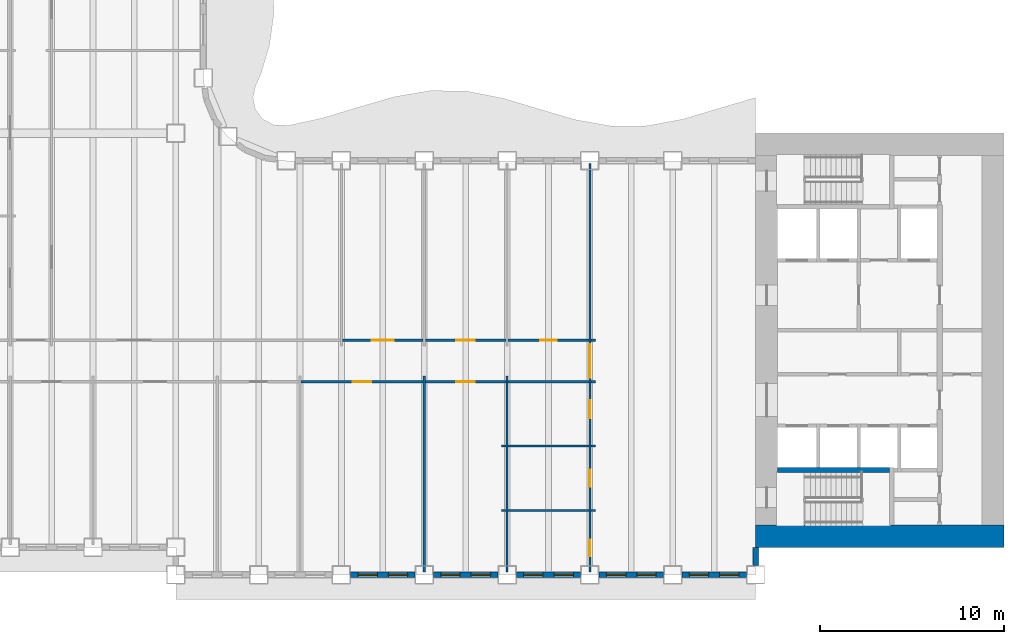
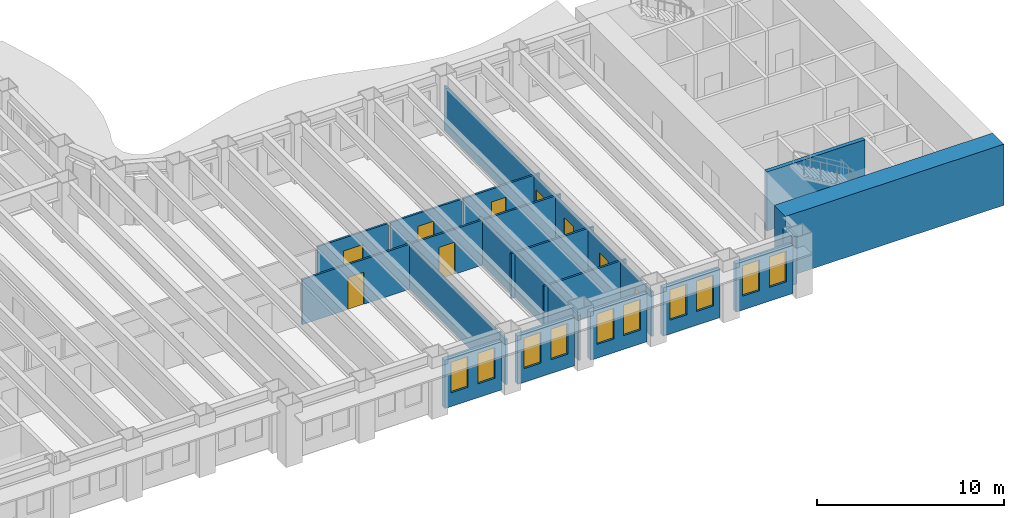
# One storey, part 5 of 16: 25 walls, 10 windows, 9 doors, 19 openings.
"""IFC4 building model written with IfcOpenShell, lengths in metres."""

from ifc_helpers import new_model, si_unit, direction, frame, frame_2d, origin, place, context, subcontext, project, spatial, rectangle, extrude, material, layer, layer_set, type_object, element, fill, save


model = new_model("IFC4")

# Units and contexts
model_context = context("Model", 3, precision=1e-05, world=origin(), true_north=direction((0.0, 1.0)))
body_context = subcontext(model_context, "Body", "Model", "MODEL_VIEW")
ifc_project = project(units=[si_unit("LENGTHUNIT", "METRE"), si_unit("AREAUNIT", "SQUARE_METRE"), si_unit("VOLUMEUNIT", "CUBIC_METRE"), si_unit("PLANEANGLEUNIT", "RADIAN"), si_unit("MASSUNIT", "GRAM", prefix="KILO")], contexts=[model_context])

# Site, building, storey
site_placement = place(None, origin())
site = spatial("IfcSite", under=ifc_project, at=site_placement, CompositionType="ELEMENT")
building_placement = place(site_placement, origin())
building = spatial("IfcBuilding", under=site, at=building_placement, Name="Sennacour Bend Tower", CompositionType="ELEMENT")
storey_placement = place(building_placement, frame((0.0, 0.0, 119.0)))
storey = spatial("IfcBuildingStorey", under=building, at=storey_placement, Name="L27", CompositionType="ELEMENT", Elevation=119.0)

# Walls
ifc_material_1 = material(Name="Concrete C80/95", Category="concrete")
ifc_layer_1 = layer(ifc_material_1, 1.199951171875, Name="Concrete C80/95", Category="concrete")
ifc_layer_set_1 = layer_set([ifc_layer_1], Name="Concrete C80/95")
wall_type_1 = type_object("IfcWallType", Name="Core wall 1200 C80/95", PredefinedType="SHEAR", material=ifc_layer_set_1)
wall_1_placement = place(storey_placement, frame((67.5, 0.60009765625, -0.14990234375), z_axis=(0.0, 0.0, 1.0), x_axis=(-1.0, 0.0, 0.0)))
element("IfcWall", 1, at=wall_1_placement, inside=storey, type_object=wall_type_1, Name="Core A wall L27 S", PredefinedType="SHEAR", context=body_context, shape_type="SweptSolid", body=[
    extrude(rectangle(XDim=13.5, YDim=1.199951171875, at=frame_2d((6.75, 0.0))), origin(), (0.0, 0.0, 1.0), 4.0),
])
ifc_material_2 = material(Name="Plasterboard partition on steel studs", Category="steel")
ifc_layer_2 = layer(ifc_material_2, 0.1201171875, Name="Plasterboard partition on steel studs", Category="steel")
ifc_layer_set_2 = layer_set([ifc_layer_2], Name="Plasterboard partition on steel studs")
wall_type_2 = type_object("IfcWallType", Name="Partition 120", PredefinedType="PARTITIONING", material=ifc_layer_set_2)
for number, where, z_axis, x_axis, name in (
    (2, (36.0, -1.35009765625, 0.0), (0.0, 0.0, 1.0), (0.0, 1.0, 0.0), "P-L27-W030a"),
    (3, (40.5, -1.35009765625, 0.0), (0.0, 0.0, 1.0), (0.0, 1.0, 0.0), "P-L27-W032a"),
):
    element("IfcWall", number, at=place(storey_placement, frame(where, z_axis=z_axis, x_axis=x_axis)), inside=storey, type_object=wall_type_2, Name=name, PredefinedType="PARTITIONING", context=body_context, shape_type="SweptSolid", body=[
        extrude(rectangle(XDim=10.650146484375, YDim=0.1201171875, at=frame_2d((5.3251953125, 0.0))), origin(), (0.0, 0.0, 1.0), 2.93798828125),
    ])
wall_2_placement = place(storey_placement, frame((40.199951171875, 2.0, 0.0), z_axis=(0.0, 0.0, 1.0), x_axis=(1.0, 0.0, 0.0)))
element("IfcWall", 4, at=wall_2_placement, inside=storey, type_object=wall_type_2, Name="P-L27-W051aa", PredefinedType="PARTITIONING", context=body_context, shape_type="SweptSolid", body=[
    extrude(rectangle(XDim=0.239990234375, YDim=0.1201171875, at=frame_2d((0.1201171875, 0.0))), origin(), (0.0, 0.0, 1.0), 2.93798828125),
])
wall_3_placement = place(storey_placement, frame((40.56005859375, 2.0, 0.0), z_axis=(0.0, 0.0, 1.0), x_axis=(1.0, 0.0, 0.0)))
element("IfcWall", 5, at=wall_3_placement, inside=storey, type_object=wall_type_2, Name="P-L27-W051ab", PredefinedType="PARTITIONING", context=body_context, shape_type="SweptSolid", body=[
    extrude(rectangle(XDim=4.3798828125, YDim=0.1201171875, at=frame_2d((2.18994140625, 0.0))), origin(), (0.0, 0.0, 1.0), 2.93798828125),
])
for number, where, z_axis, x_axis, name in (
    (6, (45.06005859375, 2.0, 0.0), (0.0, 0.0, 1.0), (1.0, 0.0, 0.0), "P-L27-W051ac"),
    (7, (40.199951171875, 5.5, 0.0), (0.0, 0.0, 1.0), (1.0, 0.0, 0.0), "P-L27-W057aa"),
):
    element("IfcWall", number, at=place(storey_placement, frame(where, z_axis=z_axis, x_axis=x_axis)), inside=storey, type_object=wall_type_2, Name=name, PredefinedType="PARTITIONING", context=body_context, shape_type="SweptSolid", body=[
        extrude(rectangle(XDim=0.239990234375, YDim=0.1201171875, at=frame_2d((0.1201171875, 0.0))), origin(), (0.0, 0.0, 1.0), 2.93798828125),
    ])
wall_4_placement = place(storey_placement, frame((40.56005859375, 5.5, 0.0), z_axis=(0.0, 0.0, 1.0), x_axis=(1.0, 0.0, 0.0)))
element("IfcWall", 8, at=wall_4_placement, inside=storey, type_object=wall_type_2, Name="P-L27-W057ab", PredefinedType="PARTITIONING", context=body_context, shape_type="SweptSolid", body=[
    extrude(rectangle(XDim=4.3798828125, YDim=0.1201171875, at=frame_2d((2.18994140625, 0.0))), origin(), (0.0, 0.0, 1.0), 2.93798828125),
])
wall_5_placement = place(storey_placement, frame((45.06005859375, 5.5, 0.0), z_axis=(0.0, 0.0, 1.0), x_axis=(1.0, 0.0, 0.0)))
element("IfcWall", 9, at=wall_5_placement, inside=storey, type_object=wall_type_2, Name="P-L27-W057ac", PredefinedType="PARTITIONING", context=body_context, shape_type="SweptSolid", body=[
    extrude(rectangle(XDim=0.239990234375, YDim=0.1201171875, at=frame_2d((0.1201171875, 0.0))), origin(), (0.0, 0.0, 1.0), 2.93798828125),
])

# Wall, opening, door
wall_6_placement = place(storey_placement, frame((29.31005859375, 9.0, 0.0), z_axis=(0.0, 0.0, 1.0), x_axis=(1.0, 0.0, 0.0)))
wall_6 = element("IfcWall", 10, at=wall_6_placement, inside=storey, type_object=wall_type_2, Name="P-L27-W059af", PredefinedType="PARTITIONING", context=body_context, shape_type="SweptSolid", body=[
    extrude(rectangle(XDim=6.6298828125, YDim=0.1201171875, at=frame_2d((3.31494140625, 0.0))), origin(), (0.0, 0.0, 1.0), 2.93798828125),
])
opening_1_placement = place(wall_6_placement, frame((2.81494140625, 0.0, 0.0)))
opening_1 = element("IfcOpeningElement", 11, at=opening_1_placement, cuts=wall_6, Name="Opening OD2", PredefinedType="OPENING", context=body_context, shape_type="SweptSolid", body=[
    extrude(rectangle(XDim=1.0, YDim=2.10009765625, at=frame_2d((0.5, 1.050048828125))), frame((0.0, 0.070068359375, 0.0), z_axis=(0.0, -1.0, 0.0), x_axis=(1.0, 0.0, 0.0)), (0.0, 0.0, 1.0), 0.14013671875),
])
ifc_material_3 = material(Name="Timber", Category="wood")
door_type_1 = type_object("IfcDoorType", Name="DR-OFFICE-1000", OperationType="NOTDEFINED", PredefinedType="DOOR", material=ifc_material_3)
door_1_placement = place(opening_1_placement, origin())
door_1 = element("IfcDoor", 12, at=door_1_placement, inside=storey, type_object=door_type_1, Name="Door", OperationType="SINGLE_SWING_LEFT", OverallHeight=2.10009765625, OverallWidth=1.0, PredefinedType="DOOR", context=body_context, shape_type="SweptSolid", body=[
    extrude(rectangle(XDim=1.0, YDim=2.10009765625, at=frame_2d((0.5, 1.050048828125))), frame((0.0, 0.02490234375, 0.0), z_axis=(0.0, -1.0, 0.0), x_axis=(1.0, 0.0, 0.0)), (0.0, 0.0, 1.0), 0.050048828125),
])
fill(opening_1, door_1)

wall_7_placement = place(storey_placement, frame((36.06005859375, 9.0, 0.0), z_axis=(0.0, 0.0, 1.0), x_axis=(1.0, 0.0, 0.0)))
wall_7 = element("IfcWall", 13, at=wall_7_placement, inside=storey, type_object=wall_type_2, Name="P-L27-W059ag", PredefinedType="PARTITIONING", context=body_context, shape_type="SweptSolid", body=[
    extrude(rectangle(XDim=4.3798828125, YDim=0.1201171875, at=frame_2d((2.18994140625, 0.0))), origin(), (0.0, 0.0, 1.0), 2.93798828125),
])
opening_2_placement = place(wall_7_placement, frame((1.68994140625, 0.0, 0.0)))
opening_2 = element("IfcOpeningElement", 14, at=opening_2_placement, cuts=wall_7, Name="Opening MD2", PredefinedType="OPENING", context=body_context, shape_type="SweptSolid", body=[
    extrude(rectangle(XDim=1.0, YDim=2.10009765625, at=frame_2d((0.5, 1.050048828125))), frame((0.0, 0.070068359375, 0.0), z_axis=(0.0, -1.0, 0.0), x_axis=(1.0, 0.0, 0.0)), (0.0, 0.0, 1.0), 0.14013671875),
])
door_type_2 = type_object("IfcDoorType", Name="DR-MEETING-1000", OperationType="NOTDEFINED", PredefinedType="DOOR", material=ifc_material_3)
door_2_placement = place(opening_2_placement, origin())
door_2 = element("IfcDoor", 15, at=door_2_placement, inside=storey, type_object=door_type_2, Name="Door", OperationType="SINGLE_SWING_LEFT", OverallHeight=2.10009765625, OverallWidth=1.0, PredefinedType="DOOR", context=body_context, shape_type="SweptSolid", body=[
    extrude(rectangle(XDim=1.0, YDim=2.10009765625, at=frame_2d((0.5, 1.050048828125))), frame((0.0, 0.02490234375, 0.0), z_axis=(0.0, -1.0, 0.0), x_axis=(1.0, 0.0, 0.0)), (0.0, 0.0, 1.0), 0.050048828125),
])
fill(opening_2, door_2)

# Walls
wall_8_placement = place(storey_placement, frame((40.56005859375, 9.0, 0.0), z_axis=(0.0, 0.0, 1.0), x_axis=(1.0, 0.0, 0.0)))
element("IfcWall", 16, at=wall_8_placement, inside=storey, type_object=wall_type_2, Name="P-L27-W059ah", PredefinedType="PARTITIONING", context=body_context, shape_type="SweptSolid", body=[
    extrude(rectangle(XDim=4.3798828125, YDim=0.1201171875, at=frame_2d((2.18994140625, 0.0))), origin(), (0.0, 0.0, 1.0), 2.93798828125),
])
wall_9_placement = place(storey_placement, frame((45.06005859375, 9.0, 0.0), z_axis=(0.0, 0.0, 1.0), x_axis=(1.0, 0.0, 0.0)))
element("IfcWall", 17, at=wall_9_placement, inside=storey, type_object=wall_type_2, Name="P-L27-W059ai", PredefinedType="PARTITIONING", context=body_context, shape_type="SweptSolid", body=[
    extrude(rectangle(XDim=0.239990234375, YDim=0.1201171875, at=frame_2d((0.1201171875, 0.0))), origin(), (0.0, 0.0, 1.0), 2.93798828125),
])

# Wall, opening, door
wall_10_placement = place(storey_placement, frame((31.56005859375, 11.25, 0.0), z_axis=(0.0, 0.0, 1.0), x_axis=(1.0, 0.0, 0.0)))
wall_10 = element("IfcWall", 18, at=wall_10_placement, inside=storey, type_object=wall_type_2, Name="P-L27-W061ad", PredefinedType="PARTITIONING", context=body_context, shape_type="SweptSolid", body=[
    extrude(rectangle(XDim=4.3798828125, YDim=0.1201171875, at=frame_2d((2.18994140625, 0.0))), origin(), (0.0, 0.0, 1.0), 2.93798828125),
])
opening_3_placement = place(wall_10_placement, frame((1.58984375, 0.0, 0.0)))
opening_3 = element("IfcOpeningElement", 19, at=opening_3_placement, cuts=wall_10, Name="Opening OD", PredefinedType="OPENING", context=body_context, shape_type="SweptSolid", body=[
    extrude(rectangle(XDim=1.199951171875, YDim=2.10009765625, at=frame_2d((0.60009765625, 1.050048828125))), frame((0.0, 0.070068359375, 0.0), z_axis=(0.0, -1.0, 0.0), x_axis=(1.0, 0.0, 0.0)), (0.0, 0.0, 1.0), 0.14013671875),
])
door_type_3 = type_object("IfcDoorType", Name="DR-OFFICE-1200", OperationType="NOTDEFINED", PredefinedType="DOOR", material=ifc_material_3)
door_3_placement = place(opening_3_placement, origin())
door_3 = element("IfcDoor", 20, at=door_3_placement, inside=storey, type_object=door_type_3, Name="Door", OperationType="SINGLE_SWING_LEFT", OverallHeight=2.10009765625, OverallWidth=1.199951171875, PredefinedType="DOOR", context=body_context, shape_type="SweptSolid", body=[
    extrude(rectangle(XDim=1.199951171875, YDim=2.10009765625, at=frame_2d((0.60009765625, 1.050048828125))), frame((0.0, 0.02490234375, 0.0), z_axis=(0.0, -1.0, 0.0), x_axis=(1.0, 0.0, 0.0)), (0.0, 0.0, 1.0), 0.050048828125),
])
fill(opening_3, door_3)

wall_11_placement = place(storey_placement, frame((36.06005859375, 11.25, 0.0), z_axis=(0.0, 0.0, 1.0), x_axis=(1.0, 0.0, 0.0)))
wall_11 = element("IfcWall", 21, at=wall_11_placement, inside=storey, type_object=wall_type_2, Name="P-L27-W061ae", PredefinedType="PARTITIONING", context=body_context, shape_type="SweptSolid", body=[
    extrude(rectangle(XDim=4.3798828125, YDim=0.1201171875, at=frame_2d((2.18994140625, 0.0))), origin(), (0.0, 0.0, 1.0), 2.93798828125),
])
opening_4_placement = place(wall_11_placement, frame((1.68994140625, 0.0, 0.0)))
opening_4 = element("IfcOpeningElement", 22, at=opening_4_placement, cuts=wall_11, Name="Opening OD2", PredefinedType="OPENING", context=body_context, shape_type="SweptSolid", body=[
    extrude(rectangle(XDim=1.0, YDim=2.10009765625, at=frame_2d((0.5, 1.050048828125))), frame((0.0, 0.070068359375, 0.0), z_axis=(0.0, -1.0, 0.0), x_axis=(1.0, 0.0, 0.0)), (0.0, 0.0, 1.0), 0.14013671875),
])
door_4_placement = place(opening_4_placement, origin())
door_4 = element("IfcDoor", 23, at=door_4_placement, inside=storey, type_object=door_type_1, Name="Door", OperationType="SINGLE_SWING_LEFT", OverallHeight=2.10009765625, OverallWidth=1.0, PredefinedType="DOOR", context=body_context, shape_type="SweptSolid", body=[
    extrude(rectangle(XDim=1.0, YDim=2.10009765625, at=frame_2d((0.5, 1.050048828125))), frame((0.0, 0.02490234375, 0.0), z_axis=(0.0, -1.0, 0.0), x_axis=(1.0, 0.0, 0.0)), (0.0, 0.0, 1.0), 0.050048828125),
])
fill(opening_4, door_4)

# Wall
wall_12_placement = place(storey_placement, frame((45.06005859375, 11.25, 0.0), z_axis=(0.0, 0.0, 1.0), x_axis=(1.0, 0.0, 0.0)))
element("IfcWall", 24, at=wall_12_placement, inside=storey, type_object=wall_type_2, Name="P-L27-W061ag", PredefinedType="PARTITIONING", context=body_context, shape_type="SweptSolid", body=[
    extrude(rectangle(XDim=0.239990234375, YDim=0.1201171875, at=frame_2d((0.1201171875, 0.0))), origin(), (0.0, 0.0, 1.0), 2.93798828125),
])

# Wall, openings, doors
ifc_layer_3 = layer(ifc_material_2, 0.1201171875, Name="Plasterboard partition on steel studs", Category="steel")
ifc_layer_set_3 = layer_set([ifc_layer_3], Name="Plasterboard partition on steel studs")
wall_type_3 = type_object("IfcWallType", Name="Partition 120 EI 30", PredefinedType="PARTITIONING", material=ifc_layer_set_3)
wall_13_placement = place(storey_placement, frame((45.0, -1.35009765625, 0.0), z_axis=(0.0, 0.0, 1.0), x_axis=(0.0, 1.0, 0.0)))
wall_13 = element("IfcWall", 25, at=wall_13_placement, inside=storey, type_object=wall_type_3, Name="P-L27-W034a", PredefinedType="PARTITIONING", context=body_context, shape_type="SweptSolid", body=[
    extrude(rectangle(XDim=22.2001953125, YDim=0.1201171875, at=frame_2d((11.10009765625, 0.0))), origin(), (0.0, 0.0, 1.0), 2.93798828125),
])
opening_5_placement = place(wall_13_placement, frame((10.5751953125, 0.0, 0.0)))
opening_5 = element("IfcOpeningElement", 26, at=opening_5_placement, cuts=wall_13, Name="Opening KD3", PredefinedType="OPENING", context=body_context, shape_type="SweptSolid", body=[
    extrude(rectangle(XDim=1.800048828125, YDim=2.10009765625, at=frame_2d((0.89990234375, 1.050048828125))), frame((0.0, 0.070068359375, 0.0), z_axis=(0.0, -1.0, 0.0), x_axis=(1.0, 0.0, 0.0)), (0.0, 0.0, 1.0), 0.14013671875),
])
opening_6_placement = place(wall_13_placement, frame((0.85009765625, 0.0, 0.0)))
opening_6 = element("IfcOpeningElement", 27, at=opening_6_placement, cuts=wall_13, Name="Opening WD", PredefinedType="OPENING", context=body_context, shape_type="SweptSolid", body=[
    extrude(rectangle(XDim=0.89990234375, YDim=2.10009765625, at=frame_2d((0.449951171875, 1.050048828125))), frame((0.0, 0.070068359375, 0.0), z_axis=(0.0, -1.0, 0.0), x_axis=(1.0, 0.0, 0.0)), (0.0, 0.0, 1.0), 0.14013671875),
])
opening_7_placement = place(wall_13_placement, frame((4.650146484375, 0.0, 0.0)))
opening_7 = element("IfcOpeningElement", 28, at=opening_7_placement, cuts=wall_13, Name="Opening WD", PredefinedType="OPENING", context=body_context, shape_type="SweptSolid", body=[
    extrude(rectangle(XDim=0.89990234375, YDim=2.10009765625, at=frame_2d((0.449951171875, 1.050048828125))), frame((0.0, 0.070068359375, 0.0), z_axis=(0.0, -1.0, 0.0), x_axis=(1.0, 0.0, 0.0)), (0.0, 0.0, 1.0), 0.14013671875),
])
opening_8_placement = place(wall_13_placement, frame((8.35009765625, 0.0, 0.0)))
opening_8 = element("IfcOpeningElement", 29, at=opening_8_placement, cuts=wall_13, Name="Opening AD", PredefinedType="OPENING", context=body_context, shape_type="SweptSolid", body=[
    extrude(rectangle(XDim=1.0, YDim=2.10009765625, at=frame_2d((0.5, 1.050048828125))), frame((0.0, 0.070068359375, 0.0), z_axis=(0.0, -1.0, 0.0), x_axis=(1.0, 0.0, 0.0)), (0.0, 0.0, 1.0), 0.14013671875),
])
door_type_4 = type_object("IfcDoorType", Name="DR-ACC-WC-1000", OperationType="NOTDEFINED", PredefinedType="DOOR", material=ifc_material_3)
door_5_placement = place(opening_8_placement, origin())
door_5 = element("IfcDoor", 30, at=door_5_placement, inside=storey, type_object=door_type_4, Name="Door", OperationType="SINGLE_SWING_LEFT", OverallHeight=2.10009765625, OverallWidth=1.0, PredefinedType="DOOR", context=body_context, shape_type="SweptSolid", body=[
    extrude(rectangle(XDim=1.0, YDim=2.10009765625, at=frame_2d((0.5, 1.050048828125))), frame((0.0, 0.02490234375, 0.0), z_axis=(0.0, -1.0, 0.0), x_axis=(1.0, 0.0, 0.0)), (0.0, 0.0, 1.0), 0.050048828125),
])
fill(opening_8, door_5)
ifc_material_4 = material(Name="Painted steel", Category="steel")
door_type_5 = type_object("IfcDoorType", Name="DR-CORRIDOR-1800", OperationType="NOTDEFINED", PredefinedType="DOOR", material=ifc_material_4)
door_6_placement = place(opening_5_placement, origin())
door_6 = element("IfcDoor", 31, at=door_6_placement, inside=storey, type_object=door_type_5, Name="Door", OperationType="DOUBLE_DOOR_SINGLE_SWING", OverallHeight=2.10009765625, OverallWidth=1.800048828125, PredefinedType="DOOR", context=body_context, shape_type="SweptSolid", body=[
    extrude(rectangle(XDim=1.800048828125, YDim=2.10009765625, at=frame_2d((0.89990234375, 1.050048828125))), frame((0.0, 0.02490234375, 0.0), z_axis=(0.0, -1.0, 0.0), x_axis=(1.0, 0.0, 0.0)), (0.0, 0.0, 1.0), 0.050048828125),
])
fill(opening_5, door_6)
door_type_6 = type_object("IfcDoorType", Name="DR-WC-900", OperationType="NOTDEFINED", PredefinedType="DOOR", material=ifc_material_3)
door_7_placement = place(opening_6_placement, origin())
door_7 = element("IfcDoor", 32, at=door_7_placement, inside=storey, type_object=door_type_6, Name="Door", OperationType="SINGLE_SWING_LEFT", OverallHeight=2.10009765625, OverallWidth=0.89990234375, PredefinedType="DOOR", context=body_context, shape_type="SweptSolid", body=[
    extrude(rectangle(XDim=0.89990234375, YDim=2.10009765625, at=frame_2d((0.449951171875, 1.050048828125))), frame((0.0, 0.02490234375, 0.0), z_axis=(0.0, -1.0, 0.0), x_axis=(1.0, 0.0, 0.0)), (0.0, 0.0, 1.0), 0.050048828125),
])
fill(opening_6, door_7)
door_8_placement = place(opening_7_placement, origin())
door_8 = element("IfcDoor", 33, at=door_8_placement, inside=storey, type_object=door_type_6, Name="Door", OperationType="SINGLE_SWING_LEFT", OverallHeight=2.10009765625, OverallWidth=0.89990234375, PredefinedType="DOOR", context=body_context, shape_type="SweptSolid", body=[
    extrude(rectangle(XDim=0.89990234375, YDim=2.10009765625, at=frame_2d((0.449951171875, 1.050048828125))), frame((0.0, 0.02490234375, 0.0), z_axis=(0.0, -1.0, 0.0), x_axis=(1.0, 0.0, 0.0)), (0.0, 0.0, 1.0), 0.050048828125),
])
fill(opening_7, door_8)

# Wall, opening, door
ifc_layer_4 = layer(ifc_material_2, 0.1201171875, Name="Plasterboard partition on steel studs", Category="steel")
ifc_layer_set_4 = layer_set([ifc_layer_4], Name="Plasterboard partition on steel studs")
wall_type_4 = type_object("IfcWallType", Name="Partition 120 EI 60", PredefinedType="PARTITIONING", material=ifc_layer_set_4)
wall_14_placement = place(storey_placement, frame((40.56005859375, 11.25, 0.0), z_axis=(0.0, 0.0, 1.0), x_axis=(1.0, 0.0, 0.0)))
wall_14 = element("IfcWall", 34, at=wall_14_placement, inside=storey, type_object=wall_type_4, Name="P-L27-W061af", PredefinedType="PARTITIONING", context=body_context, shape_type="SweptSolid", body=[
    extrude(rectangle(XDim=4.3798828125, YDim=0.1201171875, at=frame_2d((2.18994140625, 0.0))), origin(), (0.0, 0.0, 1.0), 2.93798828125),
])
opening_9_placement = place(wall_14_placement, frame((1.739990234375, 0.0, 0.0)))
opening_9 = element("IfcOpeningElement", 35, at=opening_9_placement, cuts=wall_14, Name="Opening SV", PredefinedType="OPENING", context=body_context, shape_type="SweptSolid", body=[
    extrude(rectangle(XDim=0.89990234375, YDim=2.10009765625, at=frame_2d((0.449951171875, 1.050048828125))), frame((0.0, 0.070068359375, 0.0), z_axis=(0.0, -1.0, 0.0), x_axis=(1.0, 0.0, 0.0)), (0.0, 0.0, 1.0), 0.14013671875),
])
door_type_7 = type_object("IfcDoorType", Name="DR-SERVICE-900", OperationType="NOTDEFINED", PredefinedType="DOOR", material=ifc_material_4)
door_9_placement = place(opening_9_placement, origin())
door_9 = element("IfcDoor", 36, at=door_9_placement, inside=storey, type_object=door_type_7, Name="Door", OperationType="SINGLE_SWING_LEFT", OverallHeight=2.10009765625, OverallWidth=0.89990234375, PredefinedType="DOOR", context=body_context, shape_type="SweptSolid", body=[
    extrude(rectangle(XDim=0.89990234375, YDim=2.10009765625, at=frame_2d((0.449951171875, 1.050048828125))), frame((0.0, 0.02490234375, 0.0), z_axis=(0.0, -1.0, 0.0), x_axis=(1.0, 0.0, 0.0)), (0.0, 0.0, 1.0), 0.050048828125),
])
fill(opening_9, door_9)

# Wall, openings, windows
ifc_material_5 = material(Name="Warm limestone cladding", Category="masonry")
ifc_layer_5 = layer(ifc_material_5, 0.050048828125, Name="Warm limestone cladding", Category="masonry")
ifc_material_6 = material(Name="Precast concrete C40/50", Category="concrete")
ifc_layer_6 = layer(ifc_material_6, 0.25, Name="Precast concrete C40/50", Category="concrete")
ifc_layer_set_5 = layer_set([ifc_layer_5, ifc_layer_6], Name="Precast concrete C40/50 with limestone cladding")
wall_type_5 = type_object("IfcWallType", Name="STONE-CLAD PRECAST SPANDREL 300", PredefinedType="STANDARD", material=ifc_layer_set_5)
wall_15_placement = place(storey_placement, frame((32.0, -1.5, 0.0), z_axis=(0.0, 0.0, 1.0), x_axis=(1.0, 0.0, 0.0)))
wall_15 = element("IfcWall", 37, at=wall_15_placement, inside=storey, type_object=wall_type_5, Name="Stone spandrel and pier wall L27 00.02", PredefinedType="STANDARD", context=body_context, shape_type="SweptSolid", body=[
    extrude(rectangle(XDim=3.5, YDim=0.300048828125, at=frame_2d((1.75, 0.0))), origin(), (0.0, 0.0, 1.0), 3.154052734375),
])
opening_10_placement = place(wall_15_placement, frame((0.39990234375, 0.0, 0.89990234375)))
opening_10 = element("IfcOpeningElement", 38, at=opening_10_placement, cuts=wall_15, Name="Opening W13", PredefinedType="OPENING", context=body_context, shape_type="SweptSolid", body=[
    extrude(rectangle(XDim=1.050048828125, YDim=2.0, at=frame_2d((0.52490234375, 1.0))), frame((0.0, 0.16015625, 0.0), z_axis=(0.0, -1.0, 0.0), x_axis=(1.0, 0.0, 0.0)), (0.0, 0.0, 1.0), 0.320068359375),
])
opening_11_placement = place(wall_15_placement, frame((2.050048828125, 0.0, 0.89990234375)))
opening_11 = element("IfcOpeningElement", 39, at=opening_11_placement, cuts=wall_15, Name="Opening W13", PredefinedType="OPENING", context=body_context, shape_type="SweptSolid", body=[
    extrude(rectangle(XDim=1.050048828125, YDim=2.0, at=frame_2d((0.52490234375, 1.0))), frame((0.0, 0.16015625, 0.0), z_axis=(0.0, -1.0, 0.0), x_axis=(1.0, 0.0, 0.0)), (0.0, 0.0, 1.0), 0.320068359375),
])
ifc_material_7 = material(Name="Clear low-emissivity glass", Category="glass")
window_type = type_object("IfcWindowType", Name="WIN-RIBBON-1050x2000", PartitioningType="SINGLE_PANEL", PredefinedType="WINDOW", material=ifc_material_7)
window_1_placement = place(opening_10_placement, origin())
window_1 = element("IfcWindow", 40, at=window_1_placement, inside=storey, type_object=window_type, Name="Ribbon window L27 00.02.0", OverallHeight=2.0, OverallWidth=1.050048828125, PartitioningType="SINGLE_PANEL", PredefinedType="WINDOW", context=body_context, shape_type="SweptSolid", body=[
    extrude(rectangle(XDim=1.050048828125, YDim=2.0, at=frame_2d((0.52490234375, 1.0))), frame((0.0, 0.030029296875, 0.0), z_axis=(0.0, -1.0, 0.0), x_axis=(1.0, 0.0, 0.0)), (0.0, 0.0, 1.0), 0.06005859375),
])
fill(opening_10, window_1)
window_2_placement = place(opening_11_placement, origin())
window_2 = element("IfcWindow", 41, at=window_2_placement, inside=storey, type_object=window_type, Name="Ribbon window L27 00.02.1", OverallHeight=2.0, OverallWidth=1.050048828125, PartitioningType="SINGLE_PANEL", PredefinedType="WINDOW", context=body_context, shape_type="SweptSolid", body=[
    extrude(rectangle(XDim=1.050048828125, YDim=2.0, at=frame_2d((0.52490234375, 1.0))), frame((0.0, 0.030029296875, 0.0), z_axis=(0.0, -1.0, 0.0), x_axis=(1.0, 0.0, 0.0)), (0.0, 0.0, 1.0), 0.06005859375),
])
fill(opening_11, window_2)

wall_16_placement = place(storey_placement, frame((36.5, -1.5, 0.0), z_axis=(0.0, 0.0, 1.0), x_axis=(1.0, 0.0, 0.0)))
wall_16 = element("IfcWall", 42, at=wall_16_placement, inside=storey, type_object=wall_type_5, Name="Stone spandrel and pier wall L27 00.03", PredefinedType="STANDARD", context=body_context, shape_type="SweptSolid", body=[
    extrude(rectangle(XDim=3.5, YDim=0.300048828125, at=frame_2d((1.75, 0.0))), origin(), (0.0, 0.0, 1.0), 3.154052734375),
])
opening_12_placement = place(wall_16_placement, frame((0.39990234375, 0.0, 0.89990234375)))
opening_12 = element("IfcOpeningElement", 43, at=opening_12_placement, cuts=wall_16, Name="Opening W13", PredefinedType="OPENING", context=body_context, shape_type="SweptSolid", body=[
    extrude(rectangle(XDim=1.050048828125, YDim=2.0, at=frame_2d((0.52490234375, 1.0))), frame((0.0, 0.16015625, 0.0), z_axis=(0.0, -1.0, 0.0), x_axis=(1.0, 0.0, 0.0)), (0.0, 0.0, 1.0), 0.320068359375),
])
opening_13_placement = place(wall_16_placement, frame((2.050048828125, 0.0, 0.89990234375)))
opening_13 = element("IfcOpeningElement", 44, at=opening_13_placement, cuts=wall_16, Name="Opening W13", PredefinedType="OPENING", context=body_context, shape_type="SweptSolid", body=[
    extrude(rectangle(XDim=1.050048828125, YDim=2.0, at=frame_2d((0.52490234375, 1.0))), frame((0.0, 0.16015625, 0.0), z_axis=(0.0, -1.0, 0.0), x_axis=(1.0, 0.0, 0.0)), (0.0, 0.0, 1.0), 0.320068359375),
])
window_3_placement = place(opening_12_placement, origin())
window_3 = element("IfcWindow", 45, at=window_3_placement, inside=storey, type_object=window_type, Name="Ribbon window L27 00.03.0", OverallHeight=2.0, OverallWidth=1.050048828125, PartitioningType="SINGLE_PANEL", PredefinedType="WINDOW", context=body_context, shape_type="SweptSolid", body=[
    extrude(rectangle(XDim=1.050048828125, YDim=2.0, at=frame_2d((0.52490234375, 1.0))), frame((0.0, 0.030029296875, 0.0), z_axis=(0.0, -1.0, 0.0), x_axis=(1.0, 0.0, 0.0)), (0.0, 0.0, 1.0), 0.06005859375),
])
fill(opening_12, window_3)
window_4_placement = place(opening_13_placement, origin())
window_4 = element("IfcWindow", 46, at=window_4_placement, inside=storey, type_object=window_type, Name="Ribbon window L27 00.03.1", OverallHeight=2.0, OverallWidth=1.050048828125, PartitioningType="SINGLE_PANEL", PredefinedType="WINDOW", context=body_context, shape_type="SweptSolid", body=[
    extrude(rectangle(XDim=1.050048828125, YDim=2.0, at=frame_2d((0.52490234375, 1.0))), frame((0.0, 0.030029296875, 0.0), z_axis=(0.0, -1.0, 0.0), x_axis=(1.0, 0.0, 0.0)), (0.0, 0.0, 1.0), 0.06005859375),
])
fill(opening_13, window_4)

wall_17_placement = place(storey_placement, frame((41.0, -1.5, 0.0), z_axis=(0.0, 0.0, 1.0), x_axis=(1.0, 0.0, 0.0)))
wall_17 = element("IfcWall", 47, at=wall_17_placement, inside=storey, type_object=wall_type_5, Name="Stone spandrel and pier wall L27 00.04", PredefinedType="STANDARD", context=body_context, shape_type="SweptSolid", body=[
    extrude(rectangle(XDim=3.5, YDim=0.300048828125, at=frame_2d((1.75, 0.0))), origin(), (0.0, 0.0, 1.0), 3.154052734375),
])
opening_14_placement = place(wall_17_placement, frame((0.39990234375, 0.0, 0.89990234375)))
opening_14 = element("IfcOpeningElement", 48, at=opening_14_placement, cuts=wall_17, Name="Opening W13", PredefinedType="OPENING", context=body_context, shape_type="SweptSolid", body=[
    extrude(rectangle(XDim=1.050048828125, YDim=2.0, at=frame_2d((0.52490234375, 1.0))), frame((0.0, 0.16015625, 0.0), z_axis=(0.0, -1.0, 0.0), x_axis=(1.0, 0.0, 0.0)), (0.0, 0.0, 1.0), 0.320068359375),
])
opening_15_placement = place(wall_17_placement, frame((2.050048828125, 0.0, 0.89990234375)))
opening_15 = element("IfcOpeningElement", 49, at=opening_15_placement, cuts=wall_17, Name="Opening W13", PredefinedType="OPENING", context=body_context, shape_type="SweptSolid", body=[
    extrude(rectangle(XDim=1.050048828125, YDim=2.0, at=frame_2d((0.52490234375, 1.0))), frame((0.0, 0.16015625, 0.0), z_axis=(0.0, -1.0, 0.0), x_axis=(1.0, 0.0, 0.0)), (0.0, 0.0, 1.0), 0.320068359375),
])
window_5_placement = place(opening_14_placement, origin())
window_5 = element("IfcWindow", 50, at=window_5_placement, inside=storey, type_object=window_type, Name="Ribbon window L27 00.04.0", OverallHeight=2.0, OverallWidth=1.050048828125, PartitioningType="SINGLE_PANEL", PredefinedType="WINDOW", context=body_context, shape_type="SweptSolid", body=[
    extrude(rectangle(XDim=1.050048828125, YDim=2.0, at=frame_2d((0.52490234375, 1.0))), frame((0.0, 0.030029296875, 0.0), z_axis=(0.0, -1.0, 0.0), x_axis=(1.0, 0.0, 0.0)), (0.0, 0.0, 1.0), 0.06005859375),
])
fill(opening_14, window_5)
window_6_placement = place(opening_15_placement, origin())
window_6 = element("IfcWindow", 51, at=window_6_placement, inside=storey, type_object=window_type, Name="Ribbon window L27 00.04.1", OverallHeight=2.0, OverallWidth=1.050048828125, PartitioningType="SINGLE_PANEL", PredefinedType="WINDOW", context=body_context, shape_type="SweptSolid", body=[
    extrude(rectangle(XDim=1.050048828125, YDim=2.0, at=frame_2d((0.52490234375, 1.0))), frame((0.0, 0.030029296875, 0.0), z_axis=(0.0, -1.0, 0.0), x_axis=(1.0, 0.0, 0.0)), (0.0, 0.0, 1.0), 0.06005859375),
])
fill(opening_15, window_6)

wall_18_placement = place(storey_placement, frame((45.5, -1.5, 0.0), z_axis=(0.0, 0.0, 1.0), x_axis=(1.0, 0.0, 0.0)))
wall_18 = element("IfcWall", 52, at=wall_18_placement, inside=storey, type_object=wall_type_5, Name="Stone spandrel and pier wall L27 00.05", PredefinedType="STANDARD", context=body_context, shape_type="SweptSolid", body=[
    extrude(rectangle(XDim=3.5, YDim=0.300048828125, at=frame_2d((1.75, 0.0))), origin(), (0.0, 0.0, 1.0), 3.154052734375),
])
opening_16_placement = place(wall_18_placement, frame((0.39990234375, 0.0, 0.89990234375)))
opening_16 = element("IfcOpeningElement", 53, at=opening_16_placement, cuts=wall_18, Name="Opening W13", PredefinedType="OPENING", context=body_context, shape_type="SweptSolid", body=[
    extrude(rectangle(XDim=1.050048828125, YDim=2.0, at=frame_2d((0.52490234375, 1.0))), frame((0.0, 0.16015625, 0.0), z_axis=(0.0, -1.0, 0.0), x_axis=(1.0, 0.0, 0.0)), (0.0, 0.0, 1.0), 0.320068359375),
])
opening_17_placement = place(wall_18_placement, frame((2.050048828125, 0.0, 0.89990234375)))
opening_17 = element("IfcOpeningElement", 54, at=opening_17_placement, cuts=wall_18, Name="Opening W13", PredefinedType="OPENING", context=body_context, shape_type="SweptSolid", body=[
    extrude(rectangle(XDim=1.050048828125, YDim=2.0, at=frame_2d((0.52490234375, 1.0))), frame((0.0, 0.16015625, 0.0), z_axis=(0.0, -1.0, 0.0), x_axis=(1.0, 0.0, 0.0)), (0.0, 0.0, 1.0), 0.320068359375),
])
window_7_placement = place(opening_16_placement, origin())
window_7 = element("IfcWindow", 55, at=window_7_placement, inside=storey, type_object=window_type, Name="Ribbon window L27 00.05.0", OverallHeight=2.0, OverallWidth=1.050048828125, PartitioningType="SINGLE_PANEL", PredefinedType="WINDOW", context=body_context, shape_type="SweptSolid", body=[
    extrude(rectangle(XDim=1.050048828125, YDim=2.0, at=frame_2d((0.52490234375, 1.0))), frame((0.0, 0.030029296875, 0.0), z_axis=(0.0, -1.0, 0.0), x_axis=(1.0, 0.0, 0.0)), (0.0, 0.0, 1.0), 0.06005859375),
])
fill(opening_16, window_7)
window_8_placement = place(opening_17_placement, origin())
window_8 = element("IfcWindow", 56, at=window_8_placement, inside=storey, type_object=window_type, Name="Ribbon window L27 00.05.1", OverallHeight=2.0, OverallWidth=1.050048828125, PartitioningType="SINGLE_PANEL", PredefinedType="WINDOW", context=body_context, shape_type="SweptSolid", body=[
    extrude(rectangle(XDim=1.050048828125, YDim=2.0, at=frame_2d((0.52490234375, 1.0))), frame((0.0, 0.030029296875, 0.0), z_axis=(0.0, -1.0, 0.0), x_axis=(1.0, 0.0, 0.0)), (0.0, 0.0, 1.0), 0.06005859375),
])
fill(opening_17, window_8)

wall_19_placement = place(storey_placement, frame((50.0, -1.5, 0.0), z_axis=(0.0, 0.0, 1.0), x_axis=(1.0, 0.0, 0.0)))
wall_19 = element("IfcWall", 57, at=wall_19_placement, inside=storey, type_object=wall_type_5, Name="Stone spandrel and pier wall L27 00.06", PredefinedType="STANDARD", context=body_context, shape_type="SweptSolid", body=[
    extrude(rectangle(XDim=3.5, YDim=0.300048828125, at=frame_2d((1.75, 0.0))), origin(), (0.0, 0.0, 1.0), 3.154052734375),
])
opening_18_placement = place(wall_19_placement, frame((0.39990234375, 0.0, 0.89990234375)))
opening_18 = element("IfcOpeningElement", 58, at=opening_18_placement, cuts=wall_19, Name="Opening W13", PredefinedType="OPENING", context=body_context, shape_type="SweptSolid", body=[
    extrude(rectangle(XDim=1.050048828125, YDim=2.0, at=frame_2d((0.52490234375, 1.0))), frame((0.0, 0.16015625, 0.0), z_axis=(0.0, -1.0, 0.0), x_axis=(1.0, 0.0, 0.0)), (0.0, 0.0, 1.0), 0.320068359375),
])
opening_19_placement = place(wall_19_placement, frame((2.050048828125, 0.0, 0.89990234375)))
opening_19 = element("IfcOpeningElement", 59, at=opening_19_placement, cuts=wall_19, Name="Opening W13", PredefinedType="OPENING", context=body_context, shape_type="SweptSolid", body=[
    extrude(rectangle(XDim=1.050048828125, YDim=2.0, at=frame_2d((0.52490234375, 1.0))), frame((0.0, 0.16015625, 0.0), z_axis=(0.0, -1.0, 0.0), x_axis=(1.0, 0.0, 0.0)), (0.0, 0.0, 1.0), 0.320068359375),
])
window_9_placement = place(opening_18_placement, origin())
window_9 = element("IfcWindow", 60, at=window_9_placement, inside=storey, type_object=window_type, Name="Ribbon window L27 00.06.0", OverallHeight=2.0, OverallWidth=1.050048828125, PartitioningType="SINGLE_PANEL", PredefinedType="WINDOW", context=body_context, shape_type="SweptSolid", body=[
    extrude(rectangle(XDim=1.050048828125, YDim=2.0, at=frame_2d((0.52490234375, 1.0))), frame((0.0, 0.030029296875, 0.0), z_axis=(0.0, -1.0, 0.0), x_axis=(1.0, 0.0, 0.0)), (0.0, 0.0, 1.0), 0.06005859375),
])
fill(opening_18, window_9)
window_10_placement = place(opening_19_placement, origin())
window_10 = element("IfcWindow", 61, at=window_10_placement, inside=storey, type_object=window_type, Name="Ribbon window L27 00.06.1", OverallHeight=2.0, OverallWidth=1.050048828125, PartitioningType="SINGLE_PANEL", PredefinedType="WINDOW", context=body_context, shape_type="SweptSolid", body=[
    extrude(rectangle(XDim=1.050048828125, YDim=2.0, at=frame_2d((0.52490234375, 1.0))), frame((0.0, 0.030029296875, 0.0), z_axis=(0.0, -1.0, 0.0), x_axis=(1.0, 0.0, 0.0)), (0.0, 0.0, 1.0), 0.06005859375),
])
fill(opening_19, window_10)

# Walls
wall_20_placement = place(storey_placement, frame((54.0, -1.0, 0.0), z_axis=(0.0, 0.0, 1.0), x_axis=(0.0, 1.0, 0.0)))
element("IfcWall", 62, at=wall_20_placement, inside=storey, type_object=wall_type_5, Name="Stone spandrel and pier wall L27 01.00", PredefinedType="STANDARD", context=body_context, shape_type="SweptSolid", body=[
    extrude(rectangle(XDim=1.0, YDim=0.300048828125, at=frame_2d((0.5, 0.0))), origin(), (0.0, 0.0, 1.0), 3.154052734375),
])
ifc_material_8 = material(Name="Concrete C60/75", Category="concrete")
ifc_layer_7 = layer(ifc_material_8, 0.25, Name="Concrete C60/75", Category="concrete")
ifc_layer_set_6 = layer_set([ifc_layer_7], Name="Concrete C60/75")
wall_type_6 = type_object("IfcWallType", Name="Stair wall 250", PredefinedType="SHEAR", material=ifc_layer_set_6)
wall_21_placement = place(storey_placement, frame((55.199951171875, 4.199951171875, 0.0), z_axis=(0.0, 0.0, 1.0), x_axis=(1.0, 0.0, 0.0)))
element("IfcWall", 63, at=wall_21_placement, inside=storey, type_object=wall_type_6, Name="P-L27-W055", PredefinedType="SHEAR", context=body_context, shape_type="SweptSolid", body=[
    extrude(rectangle(XDim=6.074951171875, YDim=0.25, at=frame_2d((3.03759765625, 0.0))), origin(), (0.0, 0.0, 1.0), 3.85009765625),
])

save(model, "model.ifc")
